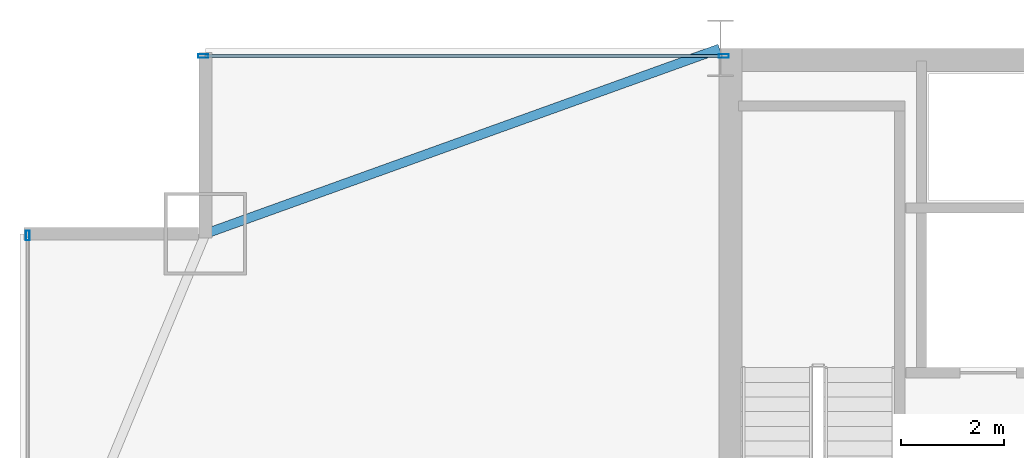
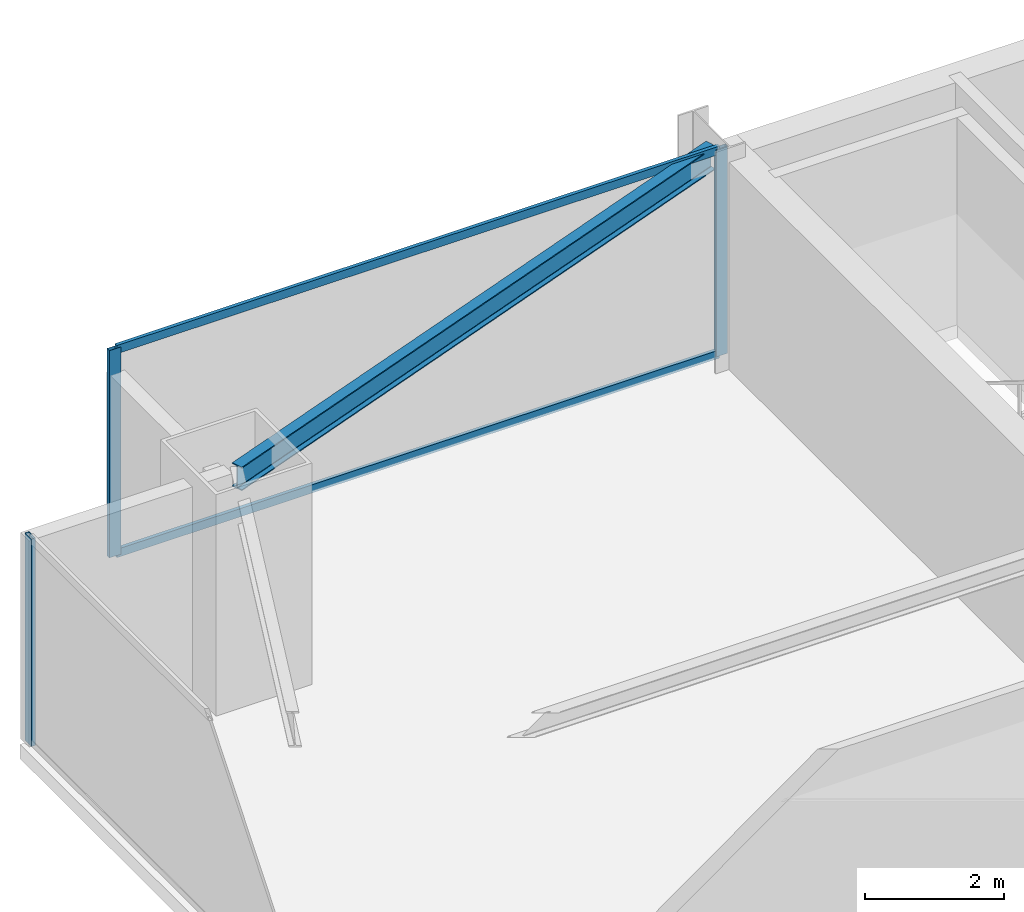
# One storey, part 22 of 32: 5 members, 1 beam, 2 elements without a shape of their own.
"""IFC4 building model written with IfcOpenShell, lengths in metres."""

from ifc_helpers import new_model, si_unit, direction, frame, origin, origin_2d, place, context, subcontext, project, spatial, hollow_rectangle, i_section, extrude, source, transform, mapped, material, layer, layer_set, material_profile, profile_set, type_object, type_shapes, element, aggregate, save


model = new_model("IFC4")

# Units and contexts
model_context = context("Model", 3, precision=1e-05, world=origin(), true_north=direction((0.0, 1.0)))
body_context = subcontext(model_context, "Body", "Model", "MODEL_VIEW")
ifc_project = project(units=[si_unit("LENGTHUNIT", "METRE"), si_unit("AREAUNIT", "SQUARE_METRE"), si_unit("VOLUMEUNIT", "CUBIC_METRE"), si_unit("PLANEANGLEUNIT", "RADIAN"), si_unit("MASSUNIT", "GRAM", prefix="KILO")], contexts=[model_context])

# Site, building, storey
site_placement = place(None, origin())
site = spatial("IfcSite", under=ifc_project, at=site_placement, CompositionType="ELEMENT")
building_placement = place(site_placement, origin())
building = spatial("IfcBuilding", under=site, at=building_placement, Name="Varnel Quay Broadcast Tower", CompositionType="ELEMENT")
storey_placement = place(building_placement, frame((0.0, 0.0, 54.89990234375)))
storey = spatial("IfcBuildingStorey", under=building, at=storey_placement, Name="L12", CompositionType="ELEMENT", Elevation=54.89990234375)

# Beam
ifc_material_1 = material(Name="Structural Steel CSA G40.21 350W", Category="steel")
ifc_material_profile_1 = material_profile(ifc_material_1, i_section(OverallWidth=0.180908203125, OverallDepth=0.4169921875, WebThickness=0.010986328125, FlangeThickness=0.018310546875, FilletRadius=0.011962890625, at=origin_2d()), Name="W410X85")
ifc_profile_set_1 = profile_set([ifc_material_profile_1], Name="Structural Steel CSA G40.21 350W")
beam_type = type_object("IfcBeamType", Name="Beam_W410X85", PredefinedType="SPANDREL", material=ifc_profile_set_1)
shared_shape_1 = source(origin(), body_context, "Body", "SweptSolid", [
    extrude(i_section(OverallWidth=0.180908203125, OverallDepth=0.4169921875, WebThickness=0.010986328125, FlangeThickness=0.018310546875, FilletRadius=0.011962890625, at=origin_2d()), origin(), (0.0, 0.0, 1.0), 10.58837890625),
])
type_shapes(beam_type, [shared_shape_1])
beam_placement = place(storey_placement, frame((5.618896484375, 43.206787109375, 3.441650390625), z_axis=(0.940888587605, 0.338716202321, 0.0), x_axis=(-0.338716202321, 0.940888587605, 0.0)))
element("IfcBeam", 1, at=beam_placement, inside=storey, type_object=beam_type, Name="L12 NW Tie Spandrel", PredefinedType="SPANDREL", context=body_context, shape_type="MappedRepresentation", body=[
    mapped(shared_shape_1, transform((0.0, 0.0, 0.0), x_axis=(1.0, 0.0, 0.0), y_axis=(0.0, 1.0, 0.0), z_axis=(0.0, 0.0, 1.0), scale=1.0)),
])

# Curtain wall, members
ifc_material_2 = material(Name="Anodised Bronze Aluminium 6063-T6", Category="aluminium")
ifc_layer = layer(ifc_material_2, 0.18994140625, Name="Anodised Bronze Aluminium 6063-T6")
ifc_layer_set = layer_set([ifc_layer], Name="Anodised Bronze Aluminium 6063-T6")
curtain_wall_type = type_object("IfcCurtainWallType", Name="CW_LowerTower", PredefinedType="NOTDEFINED", material=ifc_layer_set)
curtain_wall_1_placement = place(storey_placement, origin())
curtain_wall_1 = element("IfcCurtainWall", 2, at=curtain_wall_1_placement, inside=storey, type_object=curtain_wall_type, Name="L12 NW Wing Curtain Wall", PredefinedType="NOTDEFINED")
ifc_material_profile_2 = material_profile(ifc_material_2, hollow_rectangle(XDim=0.06005859375, YDim=0.14501953125, WallThickness=0.00341796875, at=origin_2d()), Name="ALU60X145X3.5")
ifc_profile_set_2 = profile_set([ifc_material_profile_2], Name="Anodised Bronze Aluminium 6063-T6")
member_type_1 = type_object("IfcMemberType", Name="Tran_CWS-02", PredefinedType="USERDEFINED", material=ifc_profile_set_2)
shared_shape_2 = source(origin(), body_context, "Body", "SweptSolid", [
    extrude(hollow_rectangle(XDim=0.06005859375, YDim=0.14501953125, WallThickness=0.00341796875, at=origin_2d()), origin(), (0.0, 0.0, 1.0), 10.039794921875),
])
type_shapes(member_type_1, [shared_shape_2])
member_1_placement = place(storey_placement, frame((5.590087890625, 46.64990234375, 0.030029296875), z_axis=(1.0, 0.0, 0.0), x_axis=(0.0, 1.0, 0.0)))
member_1 = element("IfcMember", 3, at=member_1_placement, type_object=member_type_1, Name="CWS-02 transom 1.1", ObjectType="TRANSOM", PredefinedType="USERDEFINED", context=body_context, shape_type="MappedRepresentation", body=[
    mapped(shared_shape_2, transform((0.0, 0.0, 0.0), x_axis=(1.0, 0.0, 0.0), y_axis=(0.0, 1.0, 0.0), z_axis=(0.0, 0.0, 1.0), scale=1.0)),
])
member_2_placement = place(storey_placement, frame((5.590087890625, 46.64990234375, 3.6201171875), z_axis=(1.0, 0.0, 0.0), x_axis=(0.0, 1.0, 0.0)))
member_2 = element("IfcMember", 4, at=member_2_placement, type_object=member_type_1, Name="CWS-02 transom 1.2", ObjectType="TRANSOM", PredefinedType="USERDEFINED", context=body_context, shape_type="MappedRepresentation", body=[
    mapped(shared_shape_2, transform((0.0, 0.0, 0.0), x_axis=(1.0, 0.0, 0.0), y_axis=(0.0, 1.0, 0.0), z_axis=(0.0, 0.0, 1.0), scale=1.0)),
])

# Curtain wall, member
curtain_wall_2_placement = place(storey_placement, origin())
curtain_wall_2 = element("IfcCurtainWall", 5, at=curtain_wall_2_placement, inside=storey, type_object=curtain_wall_type, Name="L12 West Unitised Curtain Wall", PredefinedType="NOTDEFINED")
ifc_material_profile_3 = material_profile(ifc_material_2, hollow_rectangle(XDim=0.070068359375, YDim=0.18994140625, WallThickness=0.00390625, at=origin_2d()), Name="ALU70X190X4")
ifc_profile_set_3 = profile_set([ifc_material_profile_3], Name="Anodised Bronze Aluminium 6063-T6")
member_type_2 = type_object("IfcMemberType", Name="Mull_CWS-02", PredefinedType="MULLION", material=ifc_profile_set_3)
shared_shape_3 = source(origin(), body_context, "Body", "SweptSolid", [
    extrude(hollow_rectangle(XDim=0.070068359375, YDim=0.18994140625, WallThickness=0.00390625, at=origin_2d()), origin(), (0.0, 0.0, 1.0), 3.650146484375),
])
type_shapes(member_type_2, [shared_shape_3])
member_3_placement = place(storey_placement, frame((2.14990234375, 43.1650390625, 0.0), z_axis=(0.0, 0.0, 1.0), x_axis=(-1.0, 0.0, 0.0)))
member_3 = element("IfcMember", 6, at=member_3_placement, type_object=member_type_2, Name="CWS-02 mullion 4", PredefinedType="MULLION", context=body_context, shape_type="MappedRepresentation", body=[
    mapped(shared_shape_3, transform((0.0, 0.0, 0.0), x_axis=(1.0, 0.0, 0.0), y_axis=(0.0, 1.0, 0.0), z_axis=(0.0, 0.0, 1.0), scale=1.0)),
])
aggregate(curtain_wall_2, [member_3])

# Member
member_4_placement = place(storey_placement, frame((5.554931640625, 46.64990234375, 0.0), z_axis=(0.0, 0.0, 1.0), x_axis=(0.0, 1.0, 0.0)))
member_4 = element("IfcMember", 7, at=member_4_placement, type_object=member_type_2, Name="CWS-02 mullion 1", PredefinedType="MULLION", context=body_context, shape_type="MappedRepresentation", body=[
    mapped(shared_shape_3, transform((0.0, 0.0, 0.0), x_axis=(1.0, 0.0, 0.0), y_axis=(0.0, 1.0, 0.0), z_axis=(0.0, 0.0, 1.0), scale=1.0)),
])

member_5_placement = place(storey_placement, frame((15.6650390625, 46.64990234375, 0.0), z_axis=(0.0, 0.0, 1.0), x_axis=(0.0, 1.0, 0.0)))
member_5 = element("IfcMember", 8, at=member_5_placement, type_object=member_type_2, Name="CWS-02 mullion 2", PredefinedType="MULLION", context=body_context, shape_type="MappedRepresentation", body=[
    mapped(shared_shape_3, transform((0.0, 0.0, 0.0), x_axis=(1.0, 0.0, 0.0), y_axis=(0.0, 1.0, 0.0), z_axis=(0.0, 0.0, 1.0), scale=1.0)),
])

aggregate(curtain_wall_1, [member_4, member_5, member_1, member_2])

save(model, "model.ifc")
